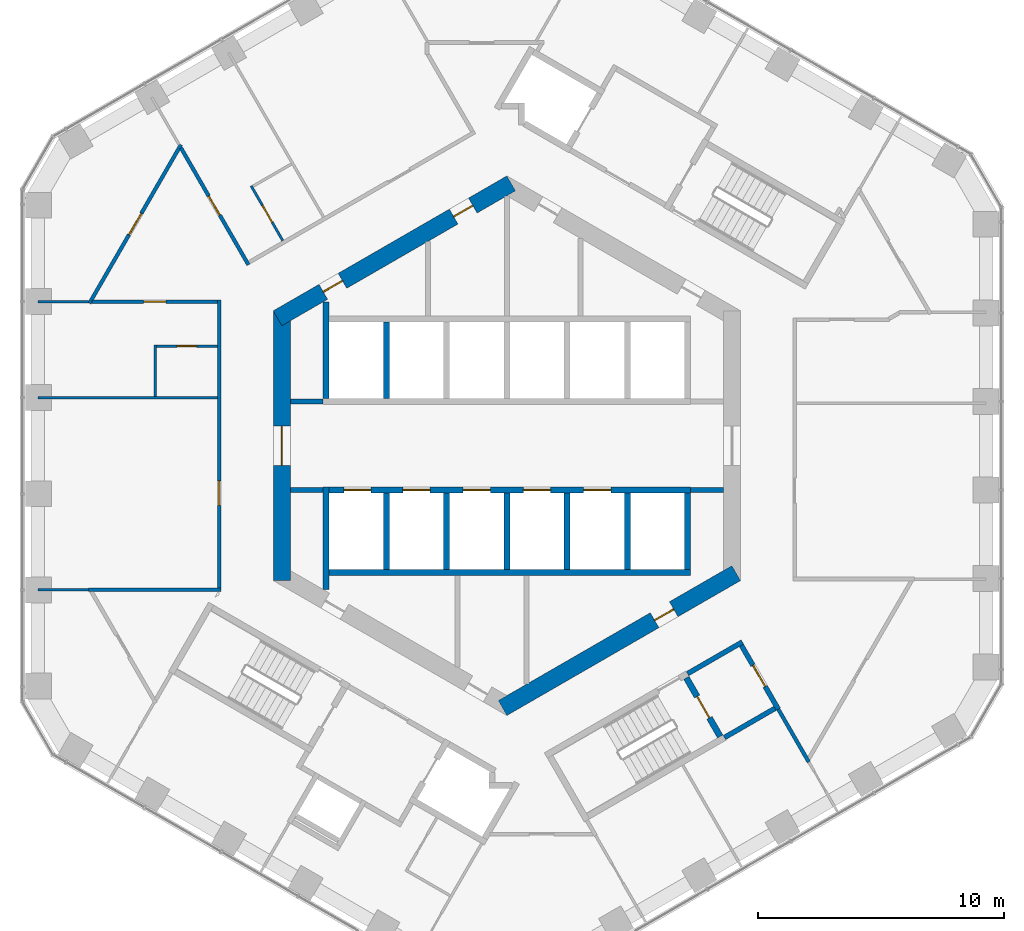
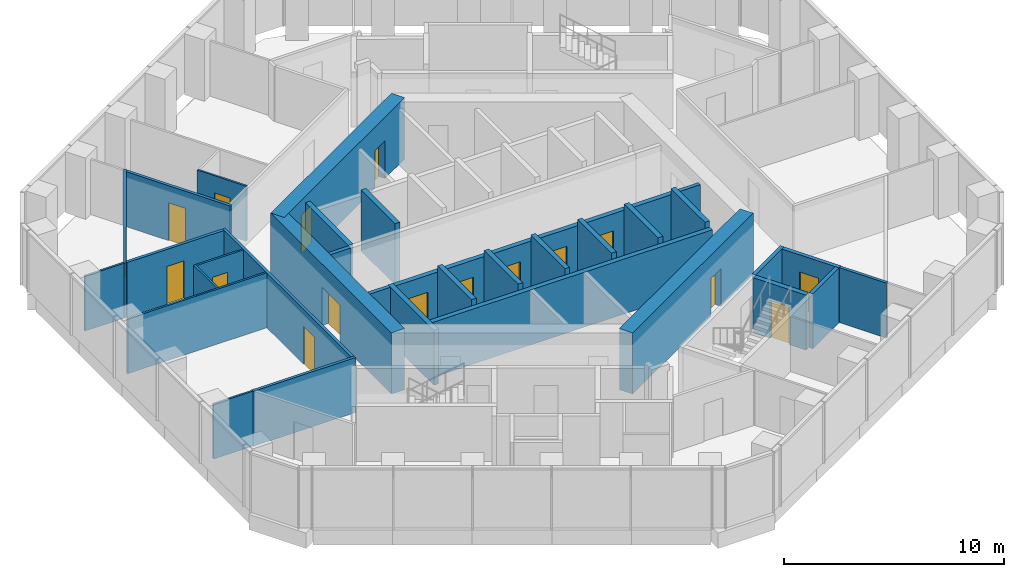
# One storey, part 14 of 19: 33 walls, 17 doors, 17 openings.
"""IFC4 building model written with IfcOpenShell, lengths in metres."""

from ifc_helpers import new_model, si_unit, direction, frame, frame_2d, origin, place, context, subcontext, project, spatial, rectangle, extrude, material, layer, layer_set, type_object, element, fill, save


model = new_model("IFC4")

# Units and contexts
model_context = context("Model", 3, precision=1e-05, world=origin(), true_north=direction((0.0, 1.0)))
body_context = subcontext(model_context, "Body", "Model", "MODEL_VIEW")
ifc_project = project(units=[si_unit("LENGTHUNIT", "METRE"), si_unit("AREAUNIT", "SQUARE_METRE"), si_unit("VOLUMEUNIT", "CUBIC_METRE"), si_unit("PLANEANGLEUNIT", "RADIAN"), si_unit("MASSUNIT", "GRAM", prefix="KILO")], contexts=[model_context])

# Site, building, storey
site_placement = place(None, origin())
site = spatial("IfcSite", under=ifc_project, at=site_placement, CompositionType="ELEMENT")
building_placement = place(site_placement, origin())
building = spatial("IfcBuilding", under=site, at=building_placement, Name="Ayvan Gate Tower", CompositionType="ELEMENT")
storey_placement = place(building_placement, frame((0.0, 0.0, 106.89990234375)))
storey = spatial("IfcBuildingStorey", under=building, at=storey_placement, Name="L28", CompositionType="ELEMENT", Elevation=106.89990234375)

# Wall, openings, doors
ifc_material_1 = material(Name="Concrete C70/85", Category="concrete")
ifc_layer_1 = layer(ifc_material_1, 0.699951171875)
ifc_layer_set_1 = layer_set([ifc_layer_1], Name="Concrete C70/85")
wall_type_1 = type_object("IfcWallType", Name="Core wall 700 C70/85", PredefinedType="SHEAR", material=ifc_layer_set_1)
wall_1_placement = place(storey_placement, frame((0.175048828125, 10.66650390625, 0.0), z_axis=(0.0, 0.0, 1.0), x_axis=(-0.866023993627, -0.500002442456, 0.0)))
wall_1 = element("IfcWall", 1, at=wall_1_placement, inside=storey, type_object=wall_type_1, Name="CORE-L28-2", PredefinedType="SHEAR", context=body_context, shape_type="SweptSolid", body=[
    extrude(rectangle(XDim=10.9697265625, YDim=0.699951171875, at=frame_2d((5.48486328125, 0.0))), origin(), (0.0, 0.0, 1.0), 3.400146484375),
])
opening_1_placement = place(wall_1_placement, frame((7.922607421875, 0.0, 0.0)))
opening_1 = element("IfcOpeningElement", 2, at=opening_1_placement, cuts=wall_1, Name="Opening L28-D38", PredefinedType="OPENING", context=body_context, shape_type="SweptSolid", body=[
    extrude(rectangle(XDim=0.89990234375, YDim=2.10009765625, at=frame_2d((0.449951171875, 1.050048828125))), frame((0.0, 0.35986328125, 0.0), z_axis=(0.0, -1.0, 0.0), x_axis=(1.0, 0.0, 0.0)), (0.0, 0.0, 1.0), 0.719970703125),
])
opening_2_placement = place(wall_1_placement, frame((1.80224609375, 0.0, 0.0)))
opening_2 = element("IfcOpeningElement", 3, at=opening_2_placement, cuts=wall_1, Name="Opening L28-D39", PredefinedType="OPENING", context=body_context, shape_type="SweptSolid", body=[
    extrude(rectangle(XDim=0.89990234375, YDim=2.10009765625, at=frame_2d((0.449951171875, 1.050048828125))), frame((0.0, 0.35986328125, 0.0), z_axis=(0.0, -1.0, 0.0), x_axis=(1.0, 0.0, 0.0)), (0.0, 0.0, 1.0), 0.719970703125),
])
ifc_material_2 = material(Name="Timber door leaf", Category="wood")
door_type_1 = type_object("IfcDoorType", Name="DT-900", OperationType="NOTDEFINED", PredefinedType="DOOR", material=ifc_material_2)
door_1_placement = place(opening_1_placement, origin())
door_1 = element("IfcDoor", 4, at=door_1_placement, inside=storey, type_object=door_type_1, Name="CD-L28-38", OperationType="SINGLE_SWING_RIGHT", OverallHeight=2.10009765625, OverallWidth=0.89990234375, PredefinedType="DOOR", context=body_context, shape_type="SweptSolid", body=[
    extrude(rectangle(XDim=0.89990234375, YDim=2.10009765625, at=frame_2d((0.449951171875, 1.050048828125))), frame((0.0, 0.02490234375, 0.0), z_axis=(0.0, -1.0, 0.0), x_axis=(1.0, 0.0, 0.0)), (0.0, 0.0, 1.0), 0.050048828125),
])
fill(opening_1, door_1)
door_2_placement = place(opening_2_placement, origin())
door_2 = element("IfcDoor", 5, at=door_2_placement, inside=storey, type_object=door_type_1, Name="CD-L28-39", OperationType="SINGLE_SWING_LEFT", OverallHeight=2.10009765625, OverallWidth=0.89990234375, PredefinedType="DOOR", context=body_context, shape_type="SweptSolid", body=[
    extrude(rectangle(XDim=0.89990234375, YDim=2.10009765625, at=frame_2d((0.449951171875, 1.050048828125))), frame((0.0, 0.02490234375, 0.0), z_axis=(0.0, -1.0, 0.0), x_axis=(1.0, 0.0, 0.0)), (0.0, 0.0, 1.0), 0.050048828125),
])
fill(opening_2, door_2)

# Wall, opening, door
wall_2_placement = place(storey_placement, frame((-9.14990234375, 5.48486328125, 0.0), z_axis=(0.0, 0.0, 1.0), x_axis=(0.0, -1.0, 0.0)))
wall_2 = element("IfcWall", 6, at=wall_2_placement, inside=storey, type_object=wall_type_1, Name="CORE-L28-3", PredefinedType="SHEAR", context=body_context, shape_type="SweptSolid", body=[
    extrude(rectangle(XDim=10.9697265625, YDim=0.699951171875, at=frame_2d((5.48486328125, 0.0))), origin(), (0.0, 0.0, 1.0), 3.400146484375),
])
opening_3_placement = place(wall_2_placement, frame((4.684814453125, 0.0, 0.0)))
opening_3 = element("IfcOpeningElement", 7, at=opening_3_placement, cuts=wall_2, Name="Opening L28-D46", PredefinedType="OPENING", context=body_context, shape_type="SweptSolid", body=[
    extrude(rectangle(XDim=1.60009765625, YDim=2.10009765625, at=frame_2d((0.800048828125, 1.050048828125))), frame((0.0, 0.35986328125, 0.0), z_axis=(0.0, -1.0, 0.0), x_axis=(1.0, 0.0, 0.0)), (0.0, 0.0, 1.0), 0.719970703125),
])
door_type_2 = type_object("IfcDoorType", Name="DT-1600", OperationType="NOTDEFINED", PredefinedType="DOOR", material=ifc_material_2)
door_3_placement = place(opening_3_placement, origin())
door_3 = element("IfcDoor", 8, at=door_3_placement, inside=storey, type_object=door_type_2, Name="CD-L28-46", OperationType="SINGLE_SWING_RIGHT", OverallHeight=2.10009765625, OverallWidth=1.60009765625, PredefinedType="DOOR", context=body_context, shape_type="SweptSolid", body=[
    extrude(rectangle(XDim=1.60009765625, YDim=2.10009765625, at=frame_2d((0.800048828125, 1.050048828125))), frame((0.0, 0.02490234375, 0.0), z_axis=(0.0, -1.0, 0.0), x_axis=(1.0, 0.0, 0.0)), (0.0, 0.0, 1.0), 0.050048828125),
])
fill(opening_3, door_3)

wall_3_placement = place(storey_placement, frame((-0.175048828125, -10.66650390625, 0.0), z_axis=(0.0, 0.0, 1.0), x_axis=(0.866023993627, 0.500002442456, 0.0)))
wall_3 = element("IfcWall", 9, at=wall_3_placement, inside=storey, type_object=wall_type_1, Name="CORE-L28-5", PredefinedType="SHEAR", context=body_context, shape_type="SweptSolid", body=[
    extrude(rectangle(XDim=10.9697265625, YDim=0.699951171875, at=frame_2d((5.48486328125, 0.0))), origin(), (0.0, 0.0, 1.0), 3.400146484375),
])
opening_4_placement = place(wall_3_placement, frame((7.136962890625, 0.0, 0.0)))
opening_4 = element("IfcOpeningElement", 10, at=opening_4_placement, cuts=wall_3, Name="Opening L28-D44", PredefinedType="OPENING", context=body_context, shape_type="SweptSolid", body=[
    extrude(rectangle(XDim=0.89990234375, YDim=2.10009765625, at=frame_2d((0.449951171875, 1.050048828125))), frame((0.0, 0.35986328125, 0.0), z_axis=(0.0, -1.0, 0.0), x_axis=(1.0, 0.0, 0.0)), (0.0, 0.0, 1.0), 0.719970703125),
])
door_4_placement = place(opening_4_placement, origin())
door_4 = element("IfcDoor", 11, at=door_4_placement, inside=storey, type_object=door_type_1, Name="CD-L28-44", OperationType="SINGLE_SWING_RIGHT", OverallHeight=2.10009765625, OverallWidth=0.89990234375, PredefinedType="DOOR", context=body_context, shape_type="SweptSolid", body=[
    extrude(rectangle(XDim=0.89990234375, YDim=2.10009765625, at=frame_2d((0.449951171875, 1.050048828125))), frame((0.0, 0.02490234375, 0.0), z_axis=(0.0, -1.0, 0.0), x_axis=(1.0, 0.0, 0.0)), (0.0, 0.0, 1.0), 0.050048828125),
])
fill(opening_4, door_4)

# Wall
ifc_material_3 = material(Name="Plasterboard on steel stud", Category="steel")
ifc_layer_2 = layer(ifc_material_3, 0.14990234375)
ifc_layer_set_2 = layer_set([ifc_layer_2], Name="Plasterboard on steel stud")
wall_type_2 = type_object("IfcWallType", Name="WT-CORR-150", PredefinedType="PARTITIONING", material=ifc_layer_set_2)
wall_4_placement = place(storey_placement, frame((-17.012939453125, -5.854736328125, 0.0), z_axis=(0.0, 0.0, 1.0), x_axis=(1.0, 0.0, 0.0)))
element("IfcWall", 12, at=wall_4_placement, inside=storey, type_object=wall_type_2, Name="IW-L28-000", PredefinedType="PARTITIONING", context=body_context, shape_type="SweptSolid", body=[
    extrude(rectangle(XDim=5.387939453125, YDim=0.14990234375, at=frame_2d((2.69384765625, 0.0))), origin(), (0.0, 0.0, 1.0), 3.050048828125),
])

# Wall, opening, door
wall_5_placement = place(storey_placement, frame((-16.9755859375, 5.789794921875, 0.0), z_axis=(0.0, 0.0, 1.0), x_axis=(0.500025198357, 0.866010855017, 0.0)))
wall_5 = element("IfcWall", 13, at=wall_5_placement, inside=storey, type_object=wall_type_2, Name="IW-L28-002", PredefinedType="PARTITIONING", context=body_context, shape_type="SweptSolid", body=[
    extrude(rectangle(XDim=7.44580078125, YDim=0.14990234375, at=frame_2d((3.722900390625, 0.0))), origin(), (0.0, 0.0, 1.0), 3.050048828125),
])
opening_5_placement = place(wall_5_placement, frame((3.222900390625, 0.0, 0.0)))
opening_5 = element("IfcOpeningElement", 14, at=opening_5_placement, cuts=wall_5, Name="Opening L28-D23", PredefinedType="OPENING", context=body_context, shape_type="SweptSolid", body=[
    extrude(rectangle(XDim=1.0, YDim=2.10009765625, at=frame_2d((0.5, 1.050048828125))), frame((0.0, 0.0849609375, 0.0), z_axis=(0.0, -1.0, 0.0), x_axis=(1.0, 0.0, 0.0)), (0.0, 0.0, 1.0), 0.169921875),
])
door_type_3 = type_object("IfcDoorType", Name="DT-1000", OperationType="NOTDEFINED", PredefinedType="DOOR", material=ifc_material_2)
door_5_placement = place(opening_5_placement, origin())
door_5 = element("IfcDoor", 15, at=door_5_placement, inside=storey, type_object=door_type_3, Name="ID-L28-023", OperationType="SINGLE_SWING_LEFT", OverallHeight=2.10009765625, OverallWidth=1.0, PredefinedType="DOOR", context=body_context, shape_type="SweptSolid", body=[
    extrude(rectangle(XDim=1.0, YDim=2.10009765625, at=frame_2d((0.5, 1.050048828125))), frame((0.0, 0.02490234375, 0.0), z_axis=(0.0, -1.0, 0.0), x_axis=(1.0, 0.0, 0.0)), (0.0, 0.0, 1.0), 0.050048828125),
])
fill(opening_5, door_5)

wall_6_placement = place(storey_placement, frame((-13.25244140625, 12.108154296875, 0.0), z_axis=(0.0, 0.0, 1.0), x_axis=(0.500015161905, -0.866016649877, 0.0)))
wall_6 = element("IfcWall", 16, at=wall_6_placement, inside=storey, type_object=wall_type_2, Name="IW-L28-011", PredefinedType="PARTITIONING", context=body_context, shape_type="SweptSolid", body=[
    extrude(rectangle(XDim=5.487060546875, YDim=0.14990234375, at=frame_2d((2.74365234375, 0.0))), origin(), (0.0, 0.0, 1.0), 3.050048828125),
])
opening_6_placement = place(wall_6_placement, frame((2.256103515625, 0.0, 0.0)))
opening_6 = element("IfcOpeningElement", 17, at=opening_6_placement, cuts=wall_6, Name="Opening L28-D36", PredefinedType="OPENING", context=body_context, shape_type="SweptSolid", body=[
    extrude(rectangle(XDim=0.89990234375, YDim=2.10009765625, at=frame_2d((0.449951171875, 1.050048828125))), frame((0.0, 0.0849609375, 0.0), z_axis=(0.0, -1.0, 0.0), x_axis=(1.0, 0.0, 0.0)), (0.0, 0.0, 1.0), 0.169921875),
])
door_6_placement = place(opening_6_placement, origin())
door_6 = element("IfcDoor", 18, at=door_6_placement, inside=storey, type_object=door_type_1, Name="ID-L28-036", OperationType="SINGLE_SWING_RIGHT", OverallHeight=2.10009765625, OverallWidth=0.89990234375, PredefinedType="DOOR", context=body_context, shape_type="SweptSolid", body=[
    extrude(rectangle(XDim=0.89990234375, YDim=2.10009765625, at=frame_2d((0.449951171875, 1.050048828125))), frame((0.0, 0.02490234375, 0.0), z_axis=(0.0, -1.0, 0.0), x_axis=(1.0, 0.0, 0.0)), (0.0, 0.0, 1.0), 0.050048828125),
])
fill(opening_6, door_6)

wall_7_placement = place(storey_placement, frame((-11.699951171875, 5.9296875, 0.0), z_axis=(0.0, 0.0, 1.0), x_axis=(0.0, -1.0, 0.0)))
wall_7 = element("IfcWall", 19, at=wall_7_placement, inside=storey, type_object=wall_type_2, Name="IW-L28-013", PredefinedType="PARTITIONING", context=body_context, shape_type="SweptSolid", body=[
    extrude(rectangle(XDim=11.70947265625, YDim=0.14990234375, at=frame_2d((5.854736328125, 0.0))), origin(), (0.0, 0.0, 1.0), 3.050048828125),
])
opening_7_placement = place(wall_7_placement, frame((7.358642578125, 0.0, 0.0)))
opening_7 = element("IfcOpeningElement", 20, at=opening_7_placement, cuts=wall_7, Name="Opening L28-D26", PredefinedType="OPENING", context=body_context, shape_type="SweptSolid", body=[
    extrude(rectangle(XDim=1.0, YDim=2.10009765625, at=frame_2d((0.5, 1.050048828125))), frame((0.0, 0.0849609375, 0.0), z_axis=(0.0, -1.0, 0.0), x_axis=(1.0, 0.0, 0.0)), (0.0, 0.0, 1.0), 0.169921875),
])
door_7_placement = place(opening_7_placement, origin())
door_7 = element("IfcDoor", 21, at=door_7_placement, inside=storey, type_object=door_type_3, Name="ID-L28-026", OperationType="SINGLE_SWING_RIGHT", OverallHeight=2.10009765625, OverallWidth=1.0, PredefinedType="DOOR", context=body_context, shape_type="SweptSolid", body=[
    extrude(rectangle(XDim=1.0, YDim=2.10009765625, at=frame_2d((0.5, 1.050048828125))), frame((0.0, 0.02490234375, 0.0), z_axis=(0.0, -1.0, 0.0), x_axis=(1.0, 0.0, 0.0)), (0.0, 0.0, 1.0), 0.050048828125),
])
fill(opening_7, door_7)

wall_8_placement = place(storey_placement, frame((-11.77490234375, 5.854736328125, 0.0), z_axis=(0.0, 0.0, 1.0), x_axis=(-1.0, 0.0, 0.0)))
wall_8 = element("IfcWall", 22, at=wall_8_placement, inside=storey, type_object=wall_type_2, Name="IW-L28-015", PredefinedType="PARTITIONING", context=body_context, shape_type="SweptSolid", body=[
    extrude(rectangle(XDim=5.088134765625, YDim=0.14990234375, at=frame_2d((2.5439453125, 0.0))), origin(), (0.0, 0.0, 1.0), 3.050048828125),
])
opening_8_placement = place(wall_8_placement, frame((2.093994140625, 0.0, 0.0)))
opening_8 = element("IfcOpeningElement", 23, at=opening_8_placement, cuts=wall_8, Name="Opening L28-D24", PredefinedType="OPENING", context=body_context, shape_type="SweptSolid", body=[
    extrude(rectangle(XDim=0.89990234375, YDim=2.10009765625, at=frame_2d((0.449951171875, 1.050048828125))), frame((0.0, 0.0849609375, 0.0), z_axis=(0.0, -1.0, 0.0), x_axis=(1.0, 0.0, 0.0)), (0.0, 0.0, 1.0), 0.169921875),
])
door_8_placement = place(opening_8_placement, origin())
door_8 = element("IfcDoor", 24, at=door_8_placement, inside=storey, type_object=door_type_1, Name="ID-L28-024", OperationType="SINGLE_SWING_RIGHT", OverallHeight=2.10009765625, OverallWidth=0.89990234375, PredefinedType="DOOR", context=body_context, shape_type="SweptSolid", body=[
    extrude(rectangle(XDim=0.89990234375, YDim=2.10009765625, at=frame_2d((0.449951171875, 1.050048828125))), frame((0.0, 0.02490234375, 0.0), z_axis=(0.0, -1.0, 0.0), x_axis=(1.0, 0.0, 0.0)), (0.0, 0.0, 1.0), 0.050048828125),
])
fill(opening_8, door_8)

# Walls
wall_9_placement = place(storey_placement, frame((12.27490234375, -12.861083984375, 0.0), z_axis=(0.0, 0.0, 1.0), x_axis=(-0.499904577418, 0.866080489029, 0.0)))
element("IfcWall", 25, at=wall_9_placement, inside=storey, type_object=wall_type_2, Name="IW-L28-102", PredefinedType="PARTITIONING", context=body_context, shape_type="SweptSolid", body=[
    extrude(rectangle(XDim=2.4755859375, YDim=0.14990234375, at=frame_2d((1.23779296875, 0.0))), origin(), (0.0, 0.0, 1.0), 3.050048828125),
])
ifc_layer_3 = layer(ifc_material_3, 0.10009765625)
ifc_layer_set_3 = layer_set([ifc_layer_3], Name="Plasterboard on steel stud")
wall_type_3 = type_object("IfcWallType", Name="WT-PART-100", PredefinedType="PARTITIONING", material=ifc_layer_set_3)
for number, where, z_axis, x_axis, name in (
    (26, (-17.012939453125, 5.854736328125, 0.0), (0.0, 0.0, 1.0), (-1.0, 0.0, 0.0), "IW-L28-001"),
    (27, (-17.012939453125, -5.854736328125, 0.0), (0.0, 0.0, 1.0), (-1.0, 0.0, 0.0), "IW-L28-003"),
):
    element("IfcWall", number, at=place(storey_placement, frame(where, z_axis=z_axis, x_axis=x_axis)), inside=storey, type_object=wall_type_3, Name=name, PredefinedType="PARTITIONING", context=body_context, shape_type="SweptSolid", body=[
        extrude(rectangle(XDim=2.05712890625, YDim=0.10009765625, at=frame_2d((1.028564453125, 0.0))), origin(), (0.0, 0.0, 1.0), 3.050048828125),
    ])
wall_10_placement = place(storey_placement, frame((-19.070068359375, 1.95166015625, 0.0), z_axis=(0.0, 0.0, 1.0), x_axis=(1.0, 0.0, 0.0)))
element("IfcWall", 28, at=wall_10_placement, inside=storey, type_object=wall_type_3, Name="IW-L28-007", PredefinedType="PARTITIONING", context=body_context, shape_type="SweptSolid", body=[
    extrude(rectangle(XDim=7.295166015625, YDim=0.10009765625, at=frame_2d((3.6474609375, 0.0))), origin(), (0.0, 0.0, 1.0), 3.050048828125),
])
wall_11_placement = place(storey_placement, frame((-14.300048828125, 4.1015625, 0.0), z_axis=(0.0, 0.0, 1.0), x_axis=(0.0, -1.0, 0.0)))
element("IfcWall", 29, at=wall_11_placement, inside=storey, type_object=wall_type_3, Name="IW-L28-008", PredefinedType="PARTITIONING", context=body_context, shape_type="SweptSolid", body=[
    extrude(rectangle(XDim=2.099853515625, YDim=0.10009765625, at=frame_2d((1.0498046875, 0.0))), origin(), (0.0, 0.0, 1.0), 3.050048828125),
])

# Wall, opening, door
wall_12_placement = place(storey_placement, frame((-11.77490234375, 4.051513671875, 0.0), z_axis=(0.0, 0.0, 1.0), x_axis=(-1.0, 0.0, 0.0)))
wall_12 = element("IfcWall", 30, at=wall_12_placement, inside=storey, type_object=wall_type_3, Name="IW-L28-014", PredefinedType="PARTITIONING", context=body_context, shape_type="SweptSolid", body=[
    extrude(rectangle(XDim=2.47509765625, YDim=0.10009765625, at=frame_2d((1.237548828125, 0.0))), origin(), (0.0, 0.0, 1.0), 3.050048828125),
])
opening_9_placement = place(wall_12_placement, frame((0.83740234375, 0.0, 0.0)))
opening_9 = element("IfcOpeningElement", 31, at=opening_9_placement, cuts=wall_12, Name="Opening L28-D25", PredefinedType="OPENING", context=body_context, shape_type="SweptSolid", body=[
    extrude(rectangle(XDim=0.800048828125, YDim=2.10009765625, at=frame_2d((0.39990234375, 1.050048828125))), frame((0.0, 0.06005859375, 0.0), z_axis=(0.0, -1.0, 0.0), x_axis=(1.0, 0.0, 0.0)), (0.0, 0.0, 1.0), 0.1201171875),
])
door_type_4 = type_object("IfcDoorType", Name="DT-800", OperationType="NOTDEFINED", PredefinedType="DOOR", material=ifc_material_2)
door_9_placement = place(opening_9_placement, origin())
door_9 = element("IfcDoor", 32, at=door_9_placement, inside=storey, type_object=door_type_4, Name="ID-L28-025", OperationType="SINGLE_SWING_LEFT", OverallHeight=2.10009765625, OverallWidth=0.800048828125, PredefinedType="DOOR", context=body_context, shape_type="SweptSolid", body=[
    extrude(rectangle(XDim=0.800048828125, YDim=2.10009765625, at=frame_2d((0.39990234375, 1.050048828125))), frame((0.0, 0.02490234375, 0.0), z_axis=(0.0, -1.0, 0.0), x_axis=(1.0, 0.0, 0.0)), (0.0, 0.0, 1.0), 0.050048828125),
])
fill(opening_9, door_9)

wall_13_placement = place(storey_placement, frame((-10.399169921875, 10.56591796875, 0.0), z_axis=(0.0, 0.0, 1.0), x_axis=(0.499963209246, -0.866046643894, 0.0)))
wall_13 = element("IfcWall", 33, at=wall_13_placement, inside=storey, type_object=wall_type_3, Name="IW-L28-017", PredefinedType="PARTITIONING", context=body_context, shape_type="SweptSolid", body=[
    extrude(rectangle(XDim=2.574951171875, YDim=0.10009765625, at=frame_2d((1.28759765625, 0.0))), origin(), (0.0, 0.0, 1.0), 3.050048828125),
])
opening_10_placement = place(wall_13_placement, frame((0.91259765625, 0.0, 0.0)))
opening_10 = element("IfcOpeningElement", 34, at=opening_10_placement, cuts=wall_13, Name="Opening L28-D37", PredefinedType="OPENING", context=body_context, shape_type="SweptSolid", body=[
    extrude(rectangle(XDim=0.800048828125, YDim=2.10009765625, at=frame_2d((0.39990234375, 1.050048828125))), frame((0.0, 0.06005859375, 0.0), z_axis=(0.0, -1.0, 0.0), x_axis=(1.0, 0.0, 0.0)), (0.0, 0.0, 1.0), 0.1201171875),
])
door_10_placement = place(opening_10_placement, origin())
door_10 = element("IfcDoor", 35, at=door_10_placement, inside=storey, type_object=door_type_4, Name="ID-L28-037", OperationType="SINGLE_SWING_LEFT", OverallHeight=2.10009765625, OverallWidth=0.800048828125, PredefinedType="DOOR", context=body_context, shape_type="SweptSolid", body=[
    extrude(rectangle(XDim=0.800048828125, YDim=2.10009765625, at=frame_2d((0.39990234375, 1.050048828125))), frame((0.0, 0.02490234375, 0.0), z_axis=(0.0, -1.0, 0.0), x_axis=(1.0, 0.0, 0.0)), (0.0, 0.0, 1.0), 0.050048828125),
])
fill(opening_10, door_10)

# Walls
ifc_layer_4 = layer(ifc_material_3, 0.199951171875)
ifc_layer_set_4 = layer_set([ifc_layer_4], Name="Plasterboard on steel stud")
wall_type_4 = type_object("IfcWallType", Name="WT-RATED-200", PredefinedType="PARTITIONING", material=ifc_layer_set_4)
for number, where, z_axis, x_axis, name in (
    (36, (-8.800048828125, 1.800048828125, 0.0), (0.0, 0.0, 1.0), (1.0, 0.0, 0.0), "IW-L28-019"),
    (37, (-7.474853515625, -1.800048828125, 0.0), (0.0, 0.0, 1.0), (-1.0, 0.0, 0.0), "IW-L28-030"),
):
    element("IfcWall", number, at=place(storey_placement, frame(where, z_axis=z_axis, x_axis=x_axis)), inside=storey, type_object=wall_type_4, Name=name, PredefinedType="PARTITIONING", context=body_context, shape_type="SweptSolid", body=[
        extrude(rectangle(XDim=1.3251953125, YDim=0.199951171875, at=frame_2d((0.66259765625, 0.0))), origin(), (0.0, 0.0, 1.0), 3.050048828125),
    ])
wall_14_placement = place(storey_placement, frame((7.343994140625, -9.27001953125, 0.0), z_axis=(0.0, 0.0, 1.0), x_axis=(0.866005588531, 0.500034319456, 0.0)))
element("IfcWall", 38, at=wall_14_placement, inside=storey, type_object=wall_type_4, Name="IW-L28-088", PredefinedType="PARTITIONING", context=body_context, shape_type="SweptSolid", body=[
    extrude(rectangle(XDim=2.574951171875, YDim=0.199951171875, at=frame_2d((1.28759765625, 0.0))), origin(), (0.0, 0.0, 1.0), 3.050048828125),
])
wall_15_placement = place(storey_placement, frame((8.800048828125, -1.800048828125, 0.0), z_axis=(0.0, 0.0, 1.0), x_axis=(-1.0, 0.0, 0.0)))
element("IfcWall", 39, at=wall_15_placement, inside=storey, type_object=wall_type_4, Name="IW-L28-095", PredefinedType="PARTITIONING", context=body_context, shape_type="SweptSolid", body=[
    extrude(rectangle(XDim=1.3251953125, YDim=0.199951171875, at=frame_2d((0.66259765625, 0.0))), origin(), (0.0, 0.0, 1.0), 3.050048828125),
])

# Wall, opening, door
wall_16_placement = place(storey_placement, frame((9.537353515625, -8.119140625, 0.0), z_axis=(0.0, 0.0, 1.0), x_axis=(0.499990139034, -0.866031096941, 0.0)))
wall_16 = element("IfcWall", 40, at=wall_16_placement, inside=storey, type_object=wall_type_4, Name="IW-L28-096", PredefinedType="PARTITIONING", context=body_context, shape_type="SweptSolid", body=[
    extrude(rectangle(XDim=3.0, YDim=0.199951171875, at=frame_2d((1.5, 0.0))), origin(), (0.0, 0.0, 1.0), 3.050048828125),
])
opening_11_placement = place(wall_16_placement, frame((0.93505859375, 0.0, 0.0)))
opening_11 = element("IfcOpeningElement", 41, at=opening_11_placement, cuts=wall_16, Name="Opening L28-D15", PredefinedType="OPENING", context=body_context, shape_type="SweptSolid", body=[
    extrude(rectangle(XDim=1.0, YDim=2.10009765625, at=frame_2d((0.5, 1.050048828125))), frame((0.0, 0.10986328125, 0.0), z_axis=(0.0, -1.0, 0.0), x_axis=(1.0, 0.0, 0.0)), (0.0, 0.0, 1.0), 0.219970703125),
])
door_11_placement = place(opening_11_placement, origin())
door_11 = element("IfcDoor", 42, at=door_11_placement, inside=storey, type_object=door_type_3, Name="ID-L28-015", OperationType="SINGLE_SWING_LEFT", OverallHeight=2.10009765625, OverallWidth=1.0, PredefinedType="DOOR", context=body_context, shape_type="SweptSolid", body=[
    extrude(rectangle(XDim=1.0, YDim=2.10009765625, at=frame_2d((0.5, 1.050048828125))), frame((0.0, 0.02490234375, 0.0), z_axis=(0.0, -1.0, 0.0), x_axis=(1.0, 0.0, 0.0)), (0.0, 0.0, 1.0), 0.050048828125),
])
fill(opening_11, door_11)

# Walls
wall_17_placement = place(storey_placement, frame((10.900634765625, -10.6806640625, 0.0), z_axis=(0.0, 0.0, 1.0), x_axis=(-0.866007538022, -0.500030943131, 0.0)))
element("IfcWall", 43, at=wall_17_placement, inside=storey, type_object=wall_type_4, Name="IW-L28-097", PredefinedType="PARTITIONING", context=body_context, shape_type="SweptSolid", body=[
    extrude(rectangle(XDim=2.374755859375, YDim=0.199951171875, at=frame_2d((1.1875, 0.0))), origin(), (0.0, 0.0, 1.0), 3.050048828125),
])
ifc_material_4 = material(Name="Concrete C50/60", Category="concrete")
ifc_layer_5 = layer(ifc_material_4, 0.25)
ifc_layer_set_5 = layer_set([ifc_layer_5], Name="Concrete C50/60")
wall_type_5 = type_object("IfcWallType", Name="WT-RC-250", PredefinedType="SHEAR", material=ifc_layer_set_5)
wall_18_placement = place(storey_placement, frame((-7.35009765625, -5.845703125, 0.0), z_axis=(0.0, 0.0, 1.0), x_axis=(0.0, 1.0, 0.0)))
element("IfcWall", 44, at=wall_18_placement, inside=storey, type_object=wall_type_5, Name="IW-L28-027", PredefinedType="SHEAR", context=body_context, shape_type="SweptSolid", body=[
    extrude(rectangle(XDim=4.170654296875, YDim=0.25, at=frame_2d((2.08544921875, 0.0))), origin(), (0.0, 0.0, 1.0), 3.050048828125),
])
wall_19_placement = place(storey_placement, frame((-7.35009765625, 1.925048828125, 0.0), z_axis=(0.0, 0.0, 1.0), x_axis=(0.0, 1.0, 0.0)))
element("IfcWall", 45, at=wall_19_placement, inside=storey, type_object=wall_type_5, Name="IW-L28-028", PredefinedType="SHEAR", context=body_context, shape_type="SweptSolid", body=[
    extrude(rectangle(XDim=3.920654296875, YDim=0.25, at=frame_2d((1.96044921875, 0.0))), origin(), (0.0, 0.0, 1.0), 3.050048828125),
])
wall_20_placement = place(storey_placement, frame((-7.22509765625, -5.14990234375, 0.0), z_axis=(0.0, 0.0, 1.0), x_axis=(1.0, 0.0, 0.0)))
element("IfcWall", 46, at=wall_20_placement, inside=storey, type_object=wall_type_5, Name="IW-L28-036", PredefinedType="SHEAR", context=body_context, shape_type="SweptSolid", body=[
    extrude(rectangle(XDim=14.7001953125, YDim=0.25, at=frame_2d((7.35009765625, 0.0))), origin(), (0.0, 0.0, 1.0), 3.050048828125),
])
for number, where, z_axis, x_axis, name in (
    (47, (-4.89990234375, -1.925048828125, 0.0), (0.0, 0.0, 1.0), (0.0, -1.0, 0.0), "IW-L28-037"),
    (48, (-4.89990234375, 5.02490234375, 0.0), (0.0, 0.0, 1.0), (0.0, -1.0, 0.0), "IW-L28-038"),
):
    element("IfcWall", number, at=place(storey_placement, frame(where, z_axis=z_axis, x_axis=x_axis)), inside=storey, type_object=wall_type_5, Name=name, PredefinedType="SHEAR", context=body_context, shape_type="SweptSolid", body=[
        extrude(rectangle(XDim=3.099853515625, YDim=0.25, at=frame_2d((1.5498046875, 0.0))), origin(), (0.0, 0.0, 1.0), 3.400146484375),
    ])

# Wall, openings, doors
wall_21_placement = place(storey_placement, frame((-7.22509765625, -1.800048828125, 0.0), z_axis=(0.0, 0.0, 1.0), x_axis=(1.0, 0.0, 0.0)))
wall_21 = element("IfcWall", 49, at=wall_21_placement, inside=storey, type_object=wall_type_5, Name="IW-L28-039", PredefinedType="SHEAR", context=body_context, shape_type="SweptSolid", body=[
    extrude(rectangle(XDim=14.7001953125, YDim=0.25, at=frame_2d((7.35009765625, 0.0))), origin(), (0.0, 0.0, 1.0), 3.050048828125),
])
opening_12_placement = place(wall_21_placement, frame((0.597412109375, 0.0, 0.0)))
opening_12 = element("IfcOpeningElement", 50, at=opening_12_placement, cuts=wall_21, Name="Opening L28-LD-LR1", PredefinedType="OPENING", context=body_context, shape_type="SweptSolid", body=[
    extrude(rectangle(XDim=1.10009765625, YDim=2.10009765625, at=frame_2d((0.550048828125, 1.050048828125))), frame((0.0, 0.135009765625, 0.0), z_axis=(0.0, -1.0, 0.0), x_axis=(1.0, 0.0, 0.0)), (0.0, 0.0, 1.0), 0.27001953125),
])
opening_13_placement = place(wall_21_placement, frame((3.0, 0.0, 0.0)))
opening_13 = element("IfcOpeningElement", 51, at=opening_13_placement, cuts=wall_21, Name="Opening L28-LD-LR2", PredefinedType="OPENING", context=body_context, shape_type="SweptSolid", body=[
    extrude(rectangle(XDim=1.10009765625, YDim=2.10009765625, at=frame_2d((0.550048828125, 1.050048828125))), frame((0.0, 0.135009765625, 0.0), z_axis=(0.0, -1.0, 0.0), x_axis=(1.0, 0.0, 0.0)), (0.0, 0.0, 1.0), 0.27001953125),
])
opening_14_placement = place(wall_21_placement, frame((5.4501953125, 0.0, 0.0)))
opening_14 = element("IfcOpeningElement", 52, at=opening_14_placement, cuts=wall_21, Name="Opening L28-LD-LR3", PredefinedType="OPENING", context=body_context, shape_type="SweptSolid", body=[
    extrude(rectangle(XDim=1.10009765625, YDim=2.10009765625, at=frame_2d((0.550048828125, 1.050048828125))), frame((0.0, 0.135009765625, 0.0), z_axis=(0.0, -1.0, 0.0), x_axis=(1.0, 0.0, 0.0)), (0.0, 0.0, 1.0), 0.27001953125),
])
opening_15_placement = place(wall_21_placement, frame((7.900146484375, 0.0, 0.0)))
opening_15 = element("IfcOpeningElement", 53, at=opening_15_placement, cuts=wall_21, Name="Opening L28-LD-LR4", PredefinedType="OPENING", context=body_context, shape_type="SweptSolid", body=[
    extrude(rectangle(XDim=1.10009765625, YDim=2.10009765625, at=frame_2d((0.550048828125, 1.050048828125))), frame((0.0, 0.135009765625, 0.0), z_axis=(0.0, -1.0, 0.0), x_axis=(1.0, 0.0, 0.0)), (0.0, 0.0, 1.0), 0.27001953125),
])
opening_16_placement = place(wall_21_placement, frame((10.35009765625, 0.0, 0.0)))
opening_16 = element("IfcOpeningElement", 54, at=opening_16_placement, cuts=wall_21, Name="Opening L28-LD-SV", PredefinedType="OPENING", context=body_context, shape_type="SweptSolid", body=[
    extrude(rectangle(XDim=1.10009765625, YDim=2.10009765625, at=frame_2d((0.550048828125, 1.050048828125))), frame((0.0, 0.135009765625, 0.0), z_axis=(0.0, -1.0, 0.0), x_axis=(1.0, 0.0, 0.0)), (0.0, 0.0, 1.0), 0.27001953125),
])
ifc_material_5 = material(Name="Stainless steel landing door", Category="steel")
door_type_5 = type_object("IfcDoorType", Name="DT-LANDING-1100", OperationType="SLIDING_TO_LEFT", PredefinedType="DOOR", material=ifc_material_5)
door_12_placement = place(opening_12_placement, origin())
door_12 = element("IfcDoor", 55, at=door_12_placement, inside=storey, type_object=door_type_5, Name="ID-L28-001", OperationType="SLIDING_TO_LEFT", OverallHeight=2.10009765625, OverallWidth=1.10009765625, PredefinedType="DOOR", context=body_context, shape_type="SweptSolid", body=[
    extrude(rectangle(XDim=1.10009765625, YDim=2.10009765625, at=frame_2d((0.550048828125, 1.050048828125))), frame((0.0, 0.02490234375, 0.0), z_axis=(0.0, -1.0, 0.0), x_axis=(1.0, 0.0, 0.0)), (0.0, 0.0, 1.0), 0.050048828125),
])
fill(opening_12, door_12)
door_13_placement = place(opening_13_placement, origin())
door_13 = element("IfcDoor", 56, at=door_13_placement, inside=storey, type_object=door_type_5, Name="ID-L28-002", OperationType="SLIDING_TO_LEFT", OverallHeight=2.10009765625, OverallWidth=1.10009765625, PredefinedType="DOOR", context=body_context, shape_type="SweptSolid", body=[
    extrude(rectangle(XDim=1.10009765625, YDim=2.10009765625, at=frame_2d((0.550048828125, 1.050048828125))), frame((0.0, 0.02490234375, 0.0), z_axis=(0.0, -1.0, 0.0), x_axis=(1.0, 0.0, 0.0)), (0.0, 0.0, 1.0), 0.050048828125),
])
fill(opening_13, door_13)
door_14_placement = place(opening_14_placement, origin())
door_14 = element("IfcDoor", 57, at=door_14_placement, inside=storey, type_object=door_type_5, Name="ID-L28-003", OperationType="SLIDING_TO_LEFT", OverallHeight=2.10009765625, OverallWidth=1.10009765625, PredefinedType="DOOR", context=body_context, shape_type="SweptSolid", body=[
    extrude(rectangle(XDim=1.10009765625, YDim=2.10009765625, at=frame_2d((0.550048828125, 1.050048828125))), frame((0.0, 0.02490234375, 0.0), z_axis=(0.0, -1.0, 0.0), x_axis=(1.0, 0.0, 0.0)), (0.0, 0.0, 1.0), 0.050048828125),
])
fill(opening_14, door_14)
door_15_placement = place(opening_15_placement, origin())
door_15 = element("IfcDoor", 58, at=door_15_placement, inside=storey, type_object=door_type_5, Name="ID-L28-004", OperationType="SLIDING_TO_LEFT", OverallHeight=2.10009765625, OverallWidth=1.10009765625, PredefinedType="DOOR", context=body_context, shape_type="SweptSolid", body=[
    extrude(rectangle(XDim=1.10009765625, YDim=2.10009765625, at=frame_2d((0.550048828125, 1.050048828125))), frame((0.0, 0.02490234375, 0.0), z_axis=(0.0, -1.0, 0.0), x_axis=(1.0, 0.0, 0.0)), (0.0, 0.0, 1.0), 0.050048828125),
])
fill(opening_15, door_15)
door_16_placement = place(opening_16_placement, origin())
door_16 = element("IfcDoor", 59, at=door_16_placement, inside=storey, type_object=door_type_5, Name="ID-L28-005", OperationType="SLIDING_TO_LEFT", OverallHeight=2.10009765625, OverallWidth=1.10009765625, PredefinedType="DOOR", context=body_context, shape_type="SweptSolid", body=[
    extrude(rectangle(XDim=1.10009765625, YDim=2.10009765625, at=frame_2d((0.550048828125, 1.050048828125))), frame((0.0, 0.02490234375, 0.0), z_axis=(0.0, -1.0, 0.0), x_axis=(1.0, 0.0, 0.0)), (0.0, 0.0, 1.0), 0.050048828125),
])
fill(opening_16, door_16)

# Walls
for number, where, z_axis, x_axis, name in (
    (60, (-2.449951171875, -1.925048828125, 0.0), (0.0, 0.0, 1.0), (0.0, -1.0, 0.0), "IW-L28-052"),
    (61, (0.0, -1.925048828125, 0.0), (0.0, 0.0, 1.0), (0.0, -1.0, 0.0), "IW-L28-060"),
    (62, (2.449951171875, -1.925048828125, 0.0), (0.0, 0.0, 1.0), (0.0, -1.0, 0.0), "IW-L28-069"),
    (63, (4.89990234375, -1.925048828125, 0.0), (0.0, 0.0, 1.0), (0.0, -1.0, 0.0), "IW-L28-081"),
):
    element("IfcWall", number, at=place(storey_placement, frame(where, z_axis=z_axis, x_axis=x_axis)), inside=storey, type_object=wall_type_5, Name=name, PredefinedType="SHEAR", context=body_context, shape_type="SweptSolid", body=[
        extrude(rectangle(XDim=3.099853515625, YDim=0.25, at=frame_2d((1.5498046875, 0.0))), origin(), (0.0, 0.0, 1.0), 3.400146484375),
    ])

# Wall, opening, door
wall_22_placement = place(storey_placement, frame((7.298095703125, -9.44091796875, 0.0), z_axis=(0.0, 0.0, 1.0), x_axis=(0.500034990121, -0.866005201286, 0.0)))
wall_22 = element("IfcWall", 64, at=wall_22_placement, inside=storey, type_object=wall_type_5, Name="IW-L28-087", PredefinedType="SHEAR", context=body_context, shape_type="SweptSolid", body=[
    extrude(rectangle(XDim=2.749755859375, YDim=0.25, at=frame_2d((1.375, 0.0))), origin(), (0.0, 0.0, 1.0), 3.050048828125),
])
opening_17_placement = place(wall_22_placement, frame((0.875, 0.0, 0.0)))
opening_17 = element("IfcOpeningElement", 65, at=opening_17_placement, cuts=wall_22, Name="Opening L28-D16", PredefinedType="OPENING", context=body_context, shape_type="SweptSolid", body=[
    extrude(rectangle(XDim=1.0, YDim=2.10009765625, at=frame_2d((0.5, 1.050048828125))), frame((0.0, 0.135009765625, 0.0), z_axis=(0.0, -1.0, 0.0), x_axis=(1.0, 0.0, 0.0)), (0.0, 0.0, 1.0), 0.27001953125),
])
door_17_placement = place(opening_17_placement, origin())
door_17 = element("IfcDoor", 66, at=door_17_placement, inside=storey, type_object=door_type_3, Name="ID-L28-016", OperationType="SINGLE_SWING_RIGHT", OverallHeight=2.10009765625, OverallWidth=1.0, PredefinedType="DOOR", context=body_context, shape_type="SweptSolid", body=[
    extrude(rectangle(XDim=1.0, YDim=2.10009765625, at=frame_2d((0.5, 1.050048828125))), frame((0.0, 0.02490234375, 0.0), z_axis=(0.0, -1.0, 0.0), x_axis=(1.0, 0.0, 0.0)), (0.0, 0.0, 1.0), 0.050048828125),
])
fill(opening_17, door_17)

# Wall
wall_23_placement = place(storey_placement, frame((7.35009765625, -1.925048828125, 0.0), z_axis=(0.0, 0.0, 1.0), x_axis=(0.0, -1.0, 0.0)))
element("IfcWall", 67, at=wall_23_placement, inside=storey, type_object=wall_type_5, Name="IW-L28-090", PredefinedType="SHEAR", context=body_context, shape_type="SweptSolid", body=[
    extrude(rectangle(XDim=3.099853515625, YDim=0.25, at=frame_2d((1.5498046875, 0.0))), origin(), (0.0, 0.0, 1.0), 3.400146484375),
])

save(model, "model.ifc")
